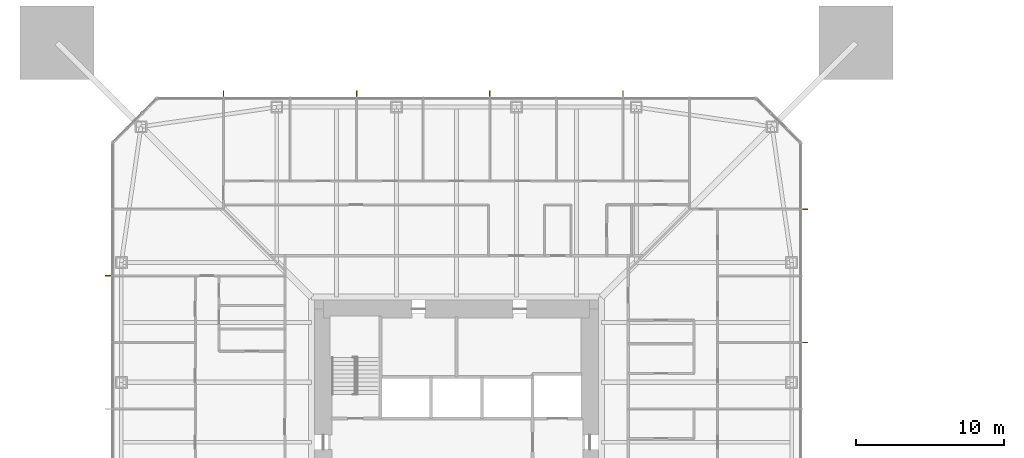
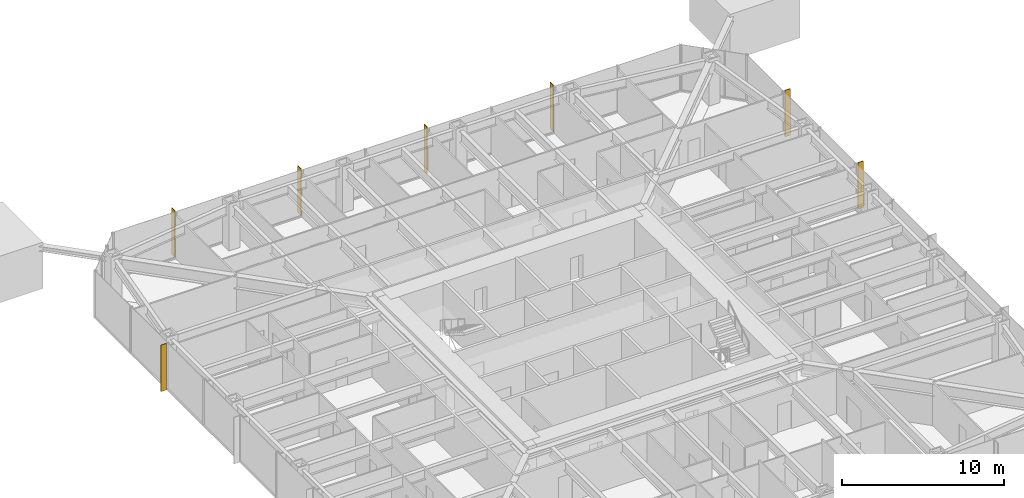
# One storey, part 25 of 26: 7 shading devices.
"""IFC4 building model written with IfcOpenShell, lengths in metres."""

import ifcopenshell
import ifcopenshell.guid

model = None  # the IFC model being written
_history = None  # IfcOwnerHistory: only IFC2X3 demands one
_inside = {}  # id of a spatial element -> (the spatial element, [elements in it])
_under = {}  # id of a project, library or spatial element -> (it, [spatial elements below it])
_declared = {}  # id of a project -> (the project, [libraries it declares])
_typed = {}  # id of a type object -> (the type object, [elements of that type])
_made_of = {}  # id of a material, layer set ... -> (it, [elements and type objects made of it])


def new_model(schema):
    """Start an empty IFC model of exactly this schema.

    Asked for "IFC4X3", IfcOpenShell would pick the latest addendum, in which some entities
    have other attributes; the version numbers below select the first issue.
    IFC2X3 requires an IfcOwnerHistory on every rooted entity: one is made here for all.
    """
    global model, _history
    if schema == "IFC4X3":
        model = ifcopenshell.file(schema_version=(4, 3, 0, 0))
    else:
        model = ifcopenshell.file(schema=schema)
    _inside.clear()
    _under.clear()
    _declared.clear()
    _typed.clear()
    _made_of.clear()
    _history = None
    if model.schema == "IFC2X3":
        org = make("IfcOrganization", Name="unknown")
        user = make(
            "IfcPersonAndOrganization",
            ThePerson=make("IfcPerson", FamilyName="unknown"),
            TheOrganization=org,
        )
        app = make(
            "IfcApplication",
            ApplicationDeveloper=org,
            Version="unknown",
            ApplicationFullName="unknown",
            ApplicationIdentifier="unknown",
        )
        _history = make(
            "IfcOwnerHistory",
            OwningUser=user,
            OwningApplication=app,
            ChangeAction="ADDED",
            CreationDate=0,
        )
    return model


def make(cls, **values):
    """One entity of the class cls with the attributes given. An attribute that is None is left unset."""
    return model.create_entity(
        cls, **{name: value for name, value in values.items() if value is not None}
    )


def rooted(cls, **values):
    """An entity with a GlobalId (a new one), such as an element, a storey or a relation."""
    return make(cls, GlobalId=ifcopenshell.guid.new(), OwnerHistory=_history, **values)


def si_unit(unit_type, name, prefix=None):
    """IfcSIUnit, for example si_unit("LENGTHUNIT", "METRE", prefix="MILLI")."""
    return make("IfcSIUnit", UnitType=unit_type, Prefix=prefix, Name=name)


def assignment(units):
    """IfcUnitAssignment: the units of a project."""
    return None if units is None else make("IfcUnitAssignment", Units=units)


def point(xyz):
    """IfcCartesianPoint."""
    return None if xyz is None else make("IfcCartesianPoint", Coordinates=xyz)


def direction(xyz):
    """IfcDirection."""
    return None if xyz is None else make("IfcDirection", DirectionRatios=xyz)


def frame(location, z_axis=None, x_axis=None):
    """IfcAxis2Placement3D, a coordinate frame: its origin and axes. An axis left out is left unset."""
    return make(
        "IfcAxis2Placement3D",
        Location=point(location),
        Axis=direction(z_axis),
        RefDirection=direction(x_axis),
    )


def frame_2d(location, x_axis=None):
    """IfcAxis2Placement2D, a coordinate frame in the plane: its origin and x axis."""
    return make(
        "IfcAxis2Placement2D", Location=point(location), RefDirection=direction(x_axis)
    )


def origin():
    """The frame at (0, 0, 0) with its axes left unset."""
    return frame((0.0, 0.0, 0.0))


def origin_2d():
    """The frame at (0, 0) in the plane with its x axis left unset."""
    return frame_2d((0.0, 0.0))


def place(relative_to, where):
    """IfcLocalPlacement: puts the frame where relative to a parent placement (None: the world)."""
    return make(
        "IfcLocalPlacement", PlacementRelTo=relative_to, RelativePlacement=where
    )


def context(
    kind, dimensions, precision=None, world=None, true_north=None, identifier=None
):
    """IfcGeometricRepresentationContext, for example the 3D "Model" context."""
    return make(
        "IfcGeometricRepresentationContext",
        ContextIdentifier=identifier,
        ContextType=kind,
        CoordinateSpaceDimension=dimensions,
        Precision=precision,
        WorldCoordinateSystem=world,
        TrueNorth=true_north,
    )


def subcontext(parent, identifier, kind, view, scale=None):
    """IfcGeometricRepresentationSubContext, for example "Body" below "Model"."""
    return make(
        "IfcGeometricRepresentationSubContext",
        ContextIdentifier=identifier,
        ContextType=kind,
        ParentContext=parent,
        TargetScale=scale,
        TargetView=view,
    )


def project(units=None, contexts=None):
    """IfcProject with its units and contexts."""
    return rooted(
        "IfcProject",
        Name="project",
        RepresentationContexts=contexts,
        UnitsInContext=assignment(units),
    )


def spatial(cls, under=None, at=None, **own):
    """A site, building, storey or space (cls), placed at a placement, below another one or the project."""
    s = rooted(cls, ObjectPlacement=at, **own)
    if under is not None:
        _under.setdefault(under.id(), (under, []))[1].append(s)
    return s


def profile(cls, at=None, kind="AREA", **sizes):
    """A parametric profile (cls). Its sizes go by their IFC names, for example OverallWidth=200.0."""
    return make(cls, ProfileType=kind, Position=at, **sizes)


def rectangle(**sizes):
    """IfcRectangleProfileDef."""
    return profile("IfcRectangleProfileDef", **sizes)


def extrude(swept, where, along, depth):
    """IfcExtrudedAreaSolid: the profile swept, set in the frame where, extruded along a direction by depth."""
    return make(
        "IfcExtrudedAreaSolid",
        SweptArea=swept,
        Position=where,
        ExtrudedDirection=direction(along),
        Depth=depth,
    )


def shape(context_of_items, identifier, shape_type, items):
    """IfcShapeRepresentation: the items that make up one representation, for example the "Body"."""
    return make(
        "IfcShapeRepresentation",
        ContextOfItems=context_of_items,
        RepresentationIdentifier=identifier,
        RepresentationType=shape_type,
        Items=items,
    )


def material(Name=None, Category=None):
    """IfcMaterial."""
    return make("IfcMaterial", Name=Name, Category=Category)


def layer(
    of_material, thickness, ventilated=None, Name=None, Category=None, Priority=None
):
    """IfcMaterialLayer: one layer of a wall or slab, of a material (None: an air gap)."""
    return make(
        "IfcMaterialLayer",
        Material=of_material,
        LayerThickness=thickness,
        IsVentilated=ventilated,
        Name=Name,
        Category=Category,
        Priority=Priority,
    )


def layer_set(layers, Name=None):
    """IfcMaterialLayerSet."""
    return make("IfcMaterialLayerSet", MaterialLayers=layers, LayerSetName=Name)


def made_of(thing, what):
    """Note that an element or type object is made of a material, layer set ...; save() writes the relation."""
    if what is not None:
        _made_of.setdefault(what.id(), (what, []))[1].append(thing)
    return thing


def type_object(cls, material=None, **own):
    """A type object (cls), such as IfcWallType, which elements share."""
    return made_of(rooted(cls, **own), material)


def element(
    cls,
    number,
    at=None,
    inside=None,
    cuts=None,
    type_object=None,
    material=None,
    context=None,
    identifier="Body",
    shape_type=None,
    held_by="IfcProductDefinitionShape",
    body=None,
    shapes=None,
    **own,
):
    """One element of the class cls, such as IfcWall. Its Tag is "e" and its number.

    at: its placement. inside: the storey or other place that contains it. cuts: it is an
    opening in that element (IfcRelVoidsElement). A single representation is given by context,
    identifier, shape_type and body (its items); several are given by shapes. held_by: the class
    of the entity that holds the representations. save() writes the other relations.
    """
    e = rooted(cls, Tag="e%d" % number, ObjectPlacement=at, **own)
    if body is not None:
        shapes = [shape(context, identifier, shape_type, body)]
    if shapes is not None:
        e.Representation = make(held_by, Representations=shapes)
    if inside is not None:
        _inside.setdefault(inside.id(), (inside, []))[1].append(e)
    if cuts is not None:
        rooted(
            "IfcRelVoidsElement", RelatingBuildingElement=cuts, RelatedOpeningElement=e
        )
    if type_object is not None:
        _typed.setdefault(type_object.id(), (type_object, []))[1].append(e)
    return made_of(e, material)


def aggregate(whole, parts):
    """IfcRelAggregates: a whole, such as a stair, and the parts it consists of."""
    return rooted("IfcRelAggregates", RelatingObject=whole, RelatedObjects=parts)


def save(model, path):
    """Write the relations noted so far, then the file.

    IfcRelAggregates (storeys below a building ...), IfcRelContainedInSpatialStructure (elements
    in a storey), IfcRelDefinesByType, IfcRelAssociatesMaterial and IfcRelDeclares: one each for
    every whole, place, type object, material and project.
    """
    for whole, parts in _under.values():
        aggregate(whole, parts)
    for where, things in _inside.values():
        rooted(
            "IfcRelContainedInSpatialStructure",
            RelatedElements=things,
            RelatingStructure=where,
        )
    for kind, things in _typed.values():
        rooted("IfcRelDefinesByType", RelatedObjects=things, RelatingType=kind)
    for what, things in _made_of.values():
        rooted("IfcRelAssociatesMaterial", RelatedObjects=things, RelatingMaterial=what)
    for by, libraries in _declared.values():
        rooted("IfcRelDeclares", RelatingContext=by, RelatedDefinitions=libraries)
    model.write(path)


model = new_model("IFC4")

# Units and contexts
model_context = context("Model", 3, precision=1e-05, world=origin(), true_north=direction((0.0, 1.0)))
body_context = subcontext(model_context, "Body", "Model", "MODEL_VIEW")
ifc_project = project(units=[si_unit("LENGTHUNIT", "METRE"), si_unit("AREAUNIT", "SQUARE_METRE"), si_unit("VOLUMEUNIT", "CUBIC_METRE"), si_unit("PLANEANGLEUNIT", "RADIAN"), si_unit("MASSUNIT", "GRAM", prefix="KILO")], contexts=[model_context])

# Site, building, storey
site_placement = place(None, origin())
site = spatial("IfcSite", under=ifc_project, at=site_placement, CompositionType="ELEMENT")
building_placement = place(site_placement, origin())
building = spatial("IfcBuilding", under=site, at=building_placement, Name="Iwan Alto Co-Living Towers", CompositionType="ELEMENT")
storey_placement = place(building_placement, frame((0.0, 0.0, 39.5)))
storey = spatial("IfcBuildingStorey", under=building, at=storey_placement, Name="L10", CompositionType="ELEMENT", Elevation=39.5)

# Shading devices
ifc_material = material(Name="Aluminium 6063-T6 bronze anodised", Category="aluminium")
ifc_layer = layer(ifc_material, 0.050048828125)
ifc_layer_set = layer_set([ifc_layer], Name="BRONZE FIN 50X400")
shading_device_type = type_object("IfcShadingDeviceType", Name="BRONZE FIN 50X400", PredefinedType="USERDEFINED", material=ifc_layer_set)
for number, where, z_axis, x_axis, name in (
    (1, (23.550048828125, 6.75, 0.0), (0.0, 0.0, 1.0), (0.0, 1.0, 0.0), "Bronze fin L10"),
    (2, (23.550048828125, 15.75, 0.0), (0.0, 0.0, 1.0), (0.0, 1.0, 0.0), "Bronze fin L10"),
    (3, (11.25, 23.550048828125, 0.0), (0.0, 0.0, 1.0), (-1.0, 0.0, 0.0), "Bronze fin L10"),
    (4, (2.25, 23.550048828125, 0.0), (0.0, 0.0, 1.0), (-1.0, 0.0, 0.0), "Bronze fin L10"),
    (5, (-6.75, 23.550048828125, 0.0), (0.0, 0.0, 1.0), (-1.0, 0.0, 0.0), "Bronze fin L10"),
    (6, (-15.75, 23.550048828125, 0.0), (0.0, 0.0, 1.0), (-1.0, 0.0, 0.0), "Bronze fin L10"),
    (7, (-23.550048828125, 11.25, 0.0), (0.0, 0.0, 1.0), (0.0, -1.0, 0.0), "Bronze fin L10"),
):
    element("IfcShadingDevice", number, at=place(storey_placement, frame(where, z_axis=z_axis, x_axis=x_axis)), inside=storey, type_object=shading_device_type, Name=name, ObjectType="LOUVER", PredefinedType="USERDEFINED", context=body_context, shape_type="SweptSolid", body=[
        extrude(rectangle(XDim=0.050048828125, YDim=0.39990234375, at=origin_2d()), origin(), (0.0, 0.0, 1.0), 3.5),
    ])

save(model, "model.ifc")
